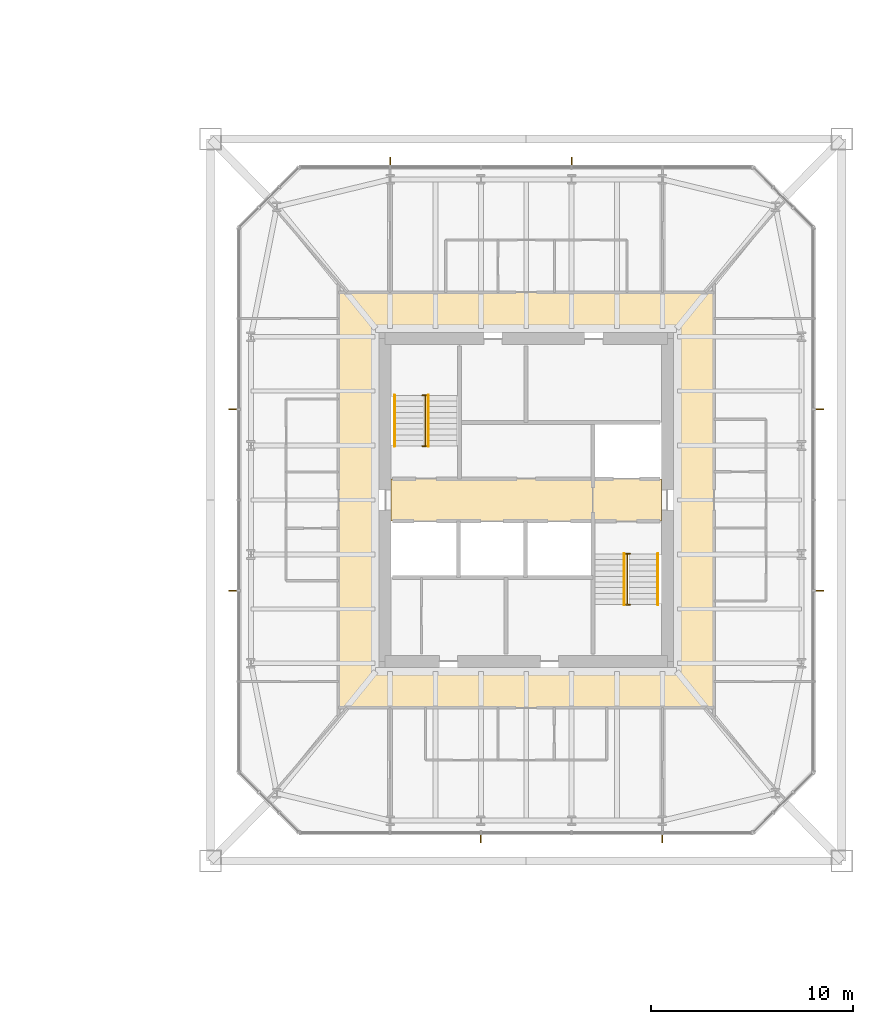
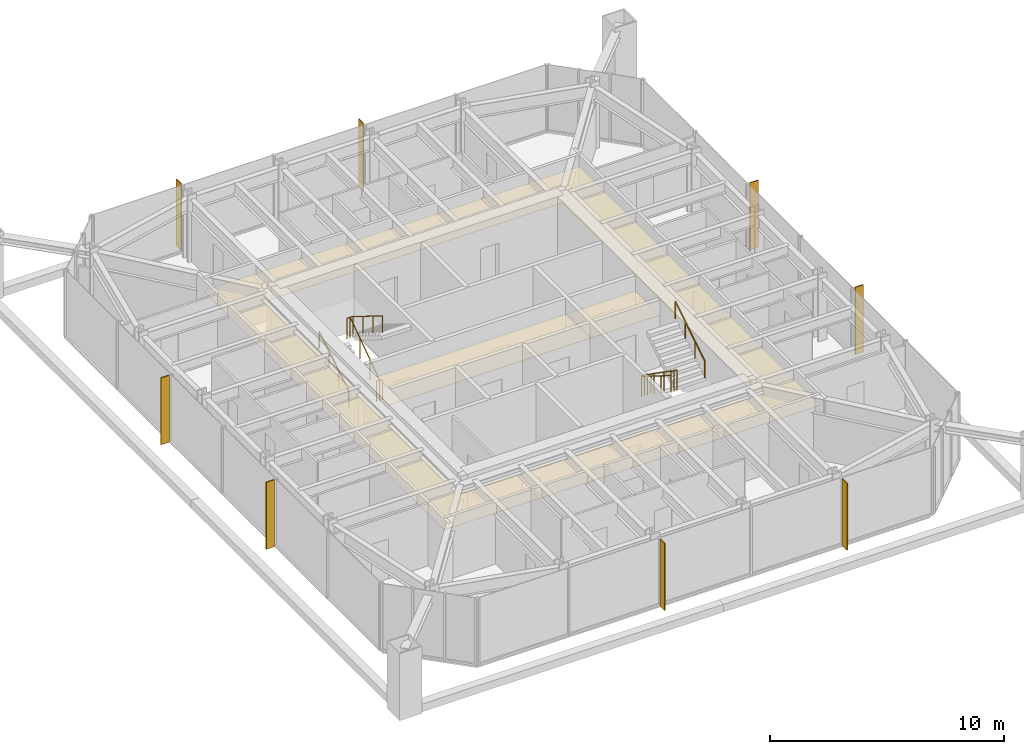
# One storey, part 26 of 26: 8 shading devices, 6 railings, 3 coverings.
"""IFC4 building model written with IfcOpenShell, lengths in metres."""

from ifc_helpers import new_model, si_unit, direction, frame, origin, origin_2d, place, context, subcontext, project, spatial, polyline, rectangle, circle, outline, extrude, material, layer, layer_set, constituent, constituent_set, type_object, element, save


model = new_model("IFC4")

# Units and contexts
model_context = context("Model", 3, precision=1e-05, world=origin(), true_north=direction((0.0, 1.0)))
body_context = subcontext(model_context, "Body", "Model", "MODEL_VIEW")
ifc_project = project(units=[si_unit("LENGTHUNIT", "METRE"), si_unit("AREAUNIT", "SQUARE_METRE"), si_unit("VOLUMEUNIT", "CUBIC_METRE"), si_unit("PLANEANGLEUNIT", "RADIAN"), si_unit("MASSUNIT", "GRAM", prefix="KILO")], contexts=[model_context])

# Site, building, storey
site_placement = place(None, origin())
site = spatial("IfcSite", under=ifc_project, at=site_placement, CompositionType="ELEMENT")
building_placement = place(site_placement, origin())
building = spatial("IfcBuilding", under=site, at=building_placement, Name="Iwan Alto Co-Living Towers", CompositionType="ELEMENT")
storey_placement = place(building_placement, frame((0.0, 0.0, 115.5)))
storey = spatial("IfcBuildingStorey", under=building, at=storey_placement, Name="L31", CompositionType="ELEMENT", Elevation=115.5)

# Coverings
ifc_material_1 = material(Name="Mineral fibre acoustic tiles on steel grid", Category="steel")
ifc_layer_1 = layer(ifc_material_1, 0.02001953125)
ifc_layer_set_1 = layer_set([ifc_layer_1], Name="ACOUSTIC TILE CEILING 20")
covering_type_1 = type_object("IfcCoveringType", Name="ACOUSTIC TILE CEILING 20", PredefinedType="CEILING", material=ifc_layer_set_1)
covering_1_placement = place(storey_placement, frame((0.0, 0.0, 2.60009765625)))
element("IfcCovering", 1, at=covering_1_placement, inside=storey, type_object=covering_type_1, Name="Ceiling Lift lobby L31", PredefinedType="CEILING", context=body_context, shape_type="SweptSolid", body=[
    extrude(outline(polyline([(56.300048828125, -1.050048828125), (56.300048828125, 1.050048828125), (66.300048828125, 1.050048828125), (66.300048828125, -1.050048828125), (56.300048828125, -1.050048828125)])), origin(), (0.0, 0.0, 1.0), 0.02001953125),
])
covering_2_placement = place(storey_placement, frame((0.0, 0.0, 2.60009765625)))
element("IfcCovering", 2, at=covering_2_placement, inside=storey, type_object=covering_type_1, Name="Ceiling Firefighting lobby L31", PredefinedType="CEILING", context=body_context, shape_type="SweptSolid", body=[
    extrude(outline(polyline([(66.300048828125, -1.050048828125), (66.300048828125, 1.050048828125), (69.699951171875, 1.050048828125), (69.699951171875, -1.050048828125), (66.300048828125, -1.050048828125)])), origin(), (0.0, 0.0, 1.0), 0.02001953125),
])

# Shading devices
ifc_material_2 = material(Name="Aluminium 6063-T6 bronze anodised", Category="aluminium")
ifc_layer_2 = layer(ifc_material_2, 0.050048828125)
ifc_layer_set_2 = layer_set([ifc_layer_2], Name="BRONZE FIN 50X400")
shading_device_type = type_object("IfcShadingDeviceType", Name="BRONZE FIN 50X400", PredefinedType="USERDEFINED", material=ifc_layer_set_2)
for number, where, z_axis, x_axis, name in (
    (3, (60.75, -16.800048828125, 0.0), (0.0, 0.0, 1.0), (1.0, 0.0, 0.0), "Bronze fin L31"),
    (4, (69.75, -16.800048828125, 0.0), (0.0, 0.0, 1.0), (1.0, 0.0, 0.0), "Bronze fin L31"),
    (5, (77.550048828125, -4.5, 0.0), (0.0, 0.0, 1.0), (0.0, 1.0, 0.0), "Bronze fin L31"),
    (6, (77.550048828125, 4.5, 0.0), (0.0, 0.0, 1.0), (0.0, 1.0, 0.0), "Bronze fin L31"),
    (7, (65.25, 16.800048828125, 0.0), (0.0, 0.0, 1.0), (-1.0, 0.0, 0.0), "Bronze fin L31"),
    (8, (56.25, 16.800048828125, 0.0), (0.0, 0.0, 1.0), (-1.0, 0.0, 0.0), "Bronze fin L31"),
    (9, (48.449951171875, 4.5, 0.0), (0.0, 0.0, 1.0), (0.0, -1.0, 0.0), "Bronze fin L31"),
    (10, (48.449951171875, -4.5, 0.0), (0.0, 0.0, 1.0), (0.0, -1.0, 0.0), "Bronze fin L31"),
):
    element("IfcShadingDevice", number, at=place(storey_placement, frame(where, z_axis=z_axis, x_axis=x_axis)), inside=storey, type_object=shading_device_type, Name=name, ObjectType="LOUVER", PredefinedType="USERDEFINED", context=body_context, shape_type="SweptSolid", body=[
        extrude(rectangle(XDim=0.050048828125, YDim=0.39990234375, at=origin_2d()), origin(), (0.0, 0.0, 1.0), 3.5),
    ])

# Railings
ifc_material_3 = material(Name="Steel ASTM A500 Gr C", Category="steel")
ifc_constituent_1 = constituent(ifc_material_3, Name="Rails and posts", Category="Framing")
ifc_material_4 = material(Name="Steel ASTM A36", Category="steel")
ifc_constituent_2 = constituent(ifc_material_4, Name="Bar infill", Category="Infill")
ifc_constituent_set = constituent_set(constituents=[ifc_constituent_1, ifc_constituent_2], Name="STAIR GUARD 1100")
railing_type_1 = type_object("IfcRailingType", Name="STAIR GUARD 1100", PredefinedType="GUARDRAIL", material=ifc_constituent_set)
railing_1_placement = place(storey_placement, frame((58.0, 2.669921875, 0.0)))
element("IfcRailing", 11, at=railing_1_placement, inside=storey, type_object=railing_type_1, Name="Stair T2-S1 well guard L31", PredefinedType="GUARDRAIL", context=body_context, shape_type="SweptSolid", body=[
    extrude(circle(Radius=0.02392578125, at=origin_2d()), frame((0.0, 0.0, 1.076171875), z_axis=(0.0, 0.821372036852, 0.570392826987), x_axis=(-1.0, 0.0, 0.0)), (0.0, 0.0, 1.0), 3.068115234375),
    extrude(circle(Radius=0.02392578125, at=origin_2d()), frame((-0.14990234375, 0.0, 1.076171875), z_axis=(1.0, 0.0, 0.0), x_axis=(0.0, 1.0, 0.0)), (0.0, 0.0, 1.0), 0.2998046875),
    extrude(circle(Radius=0.02392578125, at=origin_2d()), frame((-0.14990234375, 2.52001953125, 2.826171875), z_axis=(1.0, 0.0, 0.0), x_axis=(0.0, 1.0, 0.0)), (0.0, 0.0, 1.0), 0.2998046875),
    extrude(circle(Radius=0.02099609375, at=origin_2d()), origin(), (0.0, 0.0, 1.0), 1.052001953125),
    extrude(circle(Radius=0.02099609375, at=origin_2d()), frame((0.0, 0.840087890625, 0.583251953125)), (0.0, 0.0, 1.0), 1.052001953125),
    extrude(circle(Radius=0.02099609375, at=origin_2d()), frame((0.0, 1.679931640625, 1.166748046875)), (0.0, 0.0, 1.0), 1.052001953125),
    extrude(circle(Radius=0.02099609375, at=origin_2d()), frame((0.0, 2.52001953125, 1.75)), (0.0, 0.0, 1.0), 1.052001953125),
    extrude(circle(Radius=0.02099609375, at=origin_2d()), frame((-0.14990234375, 0.0, 0.0)), (0.0, 0.0, 1.0), 1.052001953125),
    extrude(circle(Radius=0.02099609375, at=origin_2d()), frame((0.14990234375, 0.0, 0.0)), (0.0, 0.0, 1.0), 1.052001953125),
    extrude(circle(Radius=0.02099609375, at=origin_2d()), frame((-0.14990234375, 2.52001953125, 1.75)), (0.0, 0.0, 1.0), 1.052001953125),
    extrude(circle(Radius=0.02099609375, at=origin_2d()), frame((0.14990234375, 2.52001953125, 1.75)), (0.0, 0.0, 1.0), 1.052001953125),
])
railing_2_placement = place(storey_placement, frame((68.0, -2.669921875, 0.0)))
element("IfcRailing", 12, at=railing_2_placement, inside=storey, type_object=railing_type_1, Name="Stair T2-S2 well guard L31", PredefinedType="GUARDRAIL", context=body_context, shape_type="SweptSolid", body=[
    extrude(circle(Radius=0.02392578125, at=origin_2d()), frame((0.0, 0.0, 1.076171875), z_axis=(0.0, -0.821372036852, 0.570392826987), x_axis=(1.0, 0.0, 0.0)), (0.0, 0.0, 1.0), 3.068115234375),
    extrude(circle(Radius=0.02392578125, at=origin_2d()), frame((-0.14990234375, 0.0, 1.076171875), z_axis=(1.0, 0.0, 0.0), x_axis=(0.0, 1.0, 0.0)), (0.0, 0.0, 1.0), 0.2998046875),
    extrude(circle(Radius=0.02392578125, at=origin_2d()), frame((-0.14990234375, -2.52001953125, 2.826171875), z_axis=(1.0, 0.0, 0.0), x_axis=(0.0, 1.0, 0.0)), (0.0, 0.0, 1.0), 0.2998046875),
    extrude(circle(Radius=0.02099609375, at=origin_2d()), origin(), (0.0, 0.0, 1.0), 1.052001953125),
    extrude(circle(Radius=0.02099609375, at=origin_2d()), frame((0.0, -0.840087890625, 0.583251953125)), (0.0, 0.0, 1.0), 1.052001953125),
    extrude(circle(Radius=0.02099609375, at=origin_2d()), frame((0.0, -1.679931640625, 1.166748046875)), (0.0, 0.0, 1.0), 1.052001953125),
    extrude(circle(Radius=0.02099609375, at=origin_2d()), frame((0.0, -2.52001953125, 1.75)), (0.0, 0.0, 1.0), 1.052001953125),
    extrude(circle(Radius=0.02099609375, at=origin_2d()), frame((-0.14990234375, 0.0, 0.0)), (0.0, 0.0, 1.0), 1.052001953125),
    extrude(circle(Radius=0.02099609375, at=origin_2d()), frame((0.14990234375, 0.0, 0.0)), (0.0, 0.0, 1.0), 1.052001953125),
    extrude(circle(Radius=0.02099609375, at=origin_2d()), frame((-0.14990234375, -2.52001953125, 1.75)), (0.0, 0.0, 1.0), 1.052001953125),
    extrude(circle(Radius=0.02099609375, at=origin_2d()), frame((0.14990234375, -2.52001953125, 1.75)), (0.0, 0.0, 1.0), 1.052001953125),
])
ifc_material_5 = material(Name="Steel ASTM A500 Gr C", Category="steel")
railing_type_2 = type_object("IfcRailingType", Name="STAIR HANDRAIL 900", PredefinedType="HANDRAIL", material=ifc_material_5)
railing_3_placement = place(storey_placement, frame((56.469970703125, 2.669921875, 0.175048828125)))
element("IfcRailing", 13, at=railing_3_placement, inside=storey, type_object=railing_type_2, Name="Stair T2-S1 handrail 1 L31", PredefinedType="HANDRAIL", context=body_context, shape_type="SweptSolid", body=[
    extrude(circle(Radius=0.02392578125, at=origin_2d()), frame((0.0, 0.0, 0.8759765625), z_axis=(0.0, 0.848007534815, 0.529984170421), x_axis=(-1.0, 0.0, 0.0)), (0.0, 0.0, 1.0), 2.9716796875),
    extrude(circle(Radius=0.02099609375, at=origin_2d()), origin(), (0.0, 0.0, 1.0), 0.851806640625),
    extrude(circle(Radius=0.02099609375, at=origin_2d()), frame((0.0, 0.840087890625, 0.52490234375)), (0.0, 0.0, 1.0), 0.851806640625),
    extrude(circle(Radius=0.02099609375, at=origin_2d()), frame((0.0, 1.679931640625, 1.050048828125)), (0.0, 0.0, 1.0), 0.851806640625),
    extrude(circle(Radius=0.02099609375, at=origin_2d()), frame((0.0, 2.52001953125, 1.574951171875)), (0.0, 0.0, 1.0), 0.851806640625),
])
for number, where, name in (
    (14, (58.14990234375, 5.18994140625, 1.925048828125), "Stair T2-S1 handrail 2 L31"),
    (15, (67.85009765625, -2.669921875, 0.175048828125), "Stair T2-S2 handrail 1 L31"),
):
    element("IfcRailing", number, at=place(storey_placement, frame(where)), inside=storey, type_object=railing_type_2, Name=name, PredefinedType="HANDRAIL", context=body_context, shape_type="SweptSolid", body=[
        extrude(circle(Radius=0.02392578125, at=origin_2d()), frame((0.0, 0.0, 0.8759765625), z_axis=(0.0, -0.848007534815, 0.529984170421), x_axis=(1.0, 0.0, 0.0)), (0.0, 0.0, 1.0), 2.9716796875),
        extrude(circle(Radius=0.02099609375, at=origin_2d()), origin(), (0.0, 0.0, 1.0), 0.851806640625),
        extrude(circle(Radius=0.02099609375, at=origin_2d()), frame((0.0, -0.840087890625, 0.52490234375)), (0.0, 0.0, 1.0), 0.851806640625),
        extrude(circle(Radius=0.02099609375, at=origin_2d()), frame((0.0, -1.679931640625, 1.050048828125)), (0.0, 0.0, 1.0), 0.851806640625),
        extrude(circle(Radius=0.02099609375, at=origin_2d()), frame((0.0, -2.52001953125, 1.574951171875)), (0.0, 0.0, 1.0), 0.851806640625),
    ])
railing_4_placement = place(storey_placement, frame((69.530029296875, -5.18994140625, 1.925048828125)))
element("IfcRailing", 16, at=railing_4_placement, inside=storey, type_object=railing_type_2, Name="Stair T2-S2 handrail 2 L31", PredefinedType="HANDRAIL", context=body_context, shape_type="SweptSolid", body=[
    extrude(circle(Radius=0.02392578125, at=origin_2d()), frame((0.0, 0.0, 0.8759765625), z_axis=(0.0, 0.848007534815, 0.529984170421), x_axis=(-1.0, 0.0, 0.0)), (0.0, 0.0, 1.0), 2.9716796875),
    extrude(circle(Radius=0.02099609375, at=origin_2d()), origin(), (0.0, 0.0, 1.0), 0.851806640625),
    extrude(circle(Radius=0.02099609375, at=origin_2d()), frame((0.0, 0.840087890625, 0.52490234375)), (0.0, 0.0, 1.0), 0.851806640625),
    extrude(circle(Radius=0.02099609375, at=origin_2d()), frame((0.0, 1.679931640625, 1.050048828125)), (0.0, 0.0, 1.0), 0.851806640625),
    extrude(circle(Radius=0.02099609375, at=origin_2d()), frame((0.0, 2.52001953125, 1.574951171875)), (0.0, 0.0, 1.0), 0.851806640625),
])

# Covering
ifc_material_6 = material(Name="Gypsum plasterboard on steel grid", Category="steel")
ifc_layer_3 = layer(ifc_material_6, 0.014892578125)
ifc_layer_set_3 = layer_set([ifc_layer_3], Name="SUSPENDED PLASTERBOARD CEILING 15")
covering_type_2 = type_object("IfcCoveringType", Name="SUSPENDED PLASTERBOARD CEILING 15", PredefinedType="CEILING", material=ifc_layer_set_3)
covering_3_placement = place(storey_placement, frame((0.0, 0.0, 2.60009765625)))
element("IfcCovering", 17, at=covering_3_placement, inside=storey, type_object=covering_type_2, Name="Ceiling Corridor L31", PredefinedType="CEILING", context=body_context, shape_type="SweptSolid", body=[
    extrude(outline(polyline([(53.699951171875, 10.300048828125), (72.300048828125, 10.300048828125), (72.300048828125, -10.300048828125), (53.699951171875, -10.300048828125), (53.699951171875, 10.300048828125)]), holes=[polyline([(55.699951171875, 8.300048828125), (55.699951171875, -8.300048828125), (70.300048828125, -8.300048828125), (70.300048828125, 8.300048828125), (55.699951171875, 8.300048828125)])]), origin(), (0.0, 0.0, 1.0), 0.014892578125),
])

save(model, "model.ifc")
